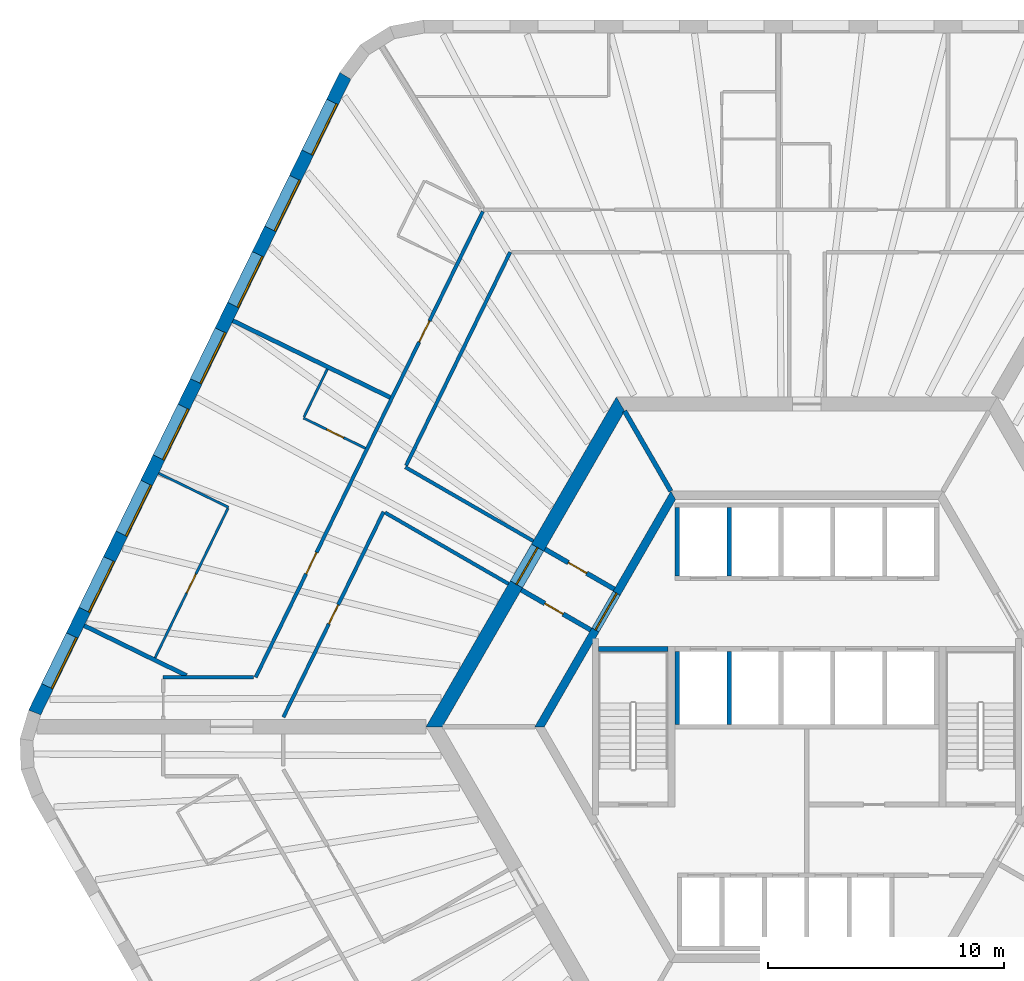
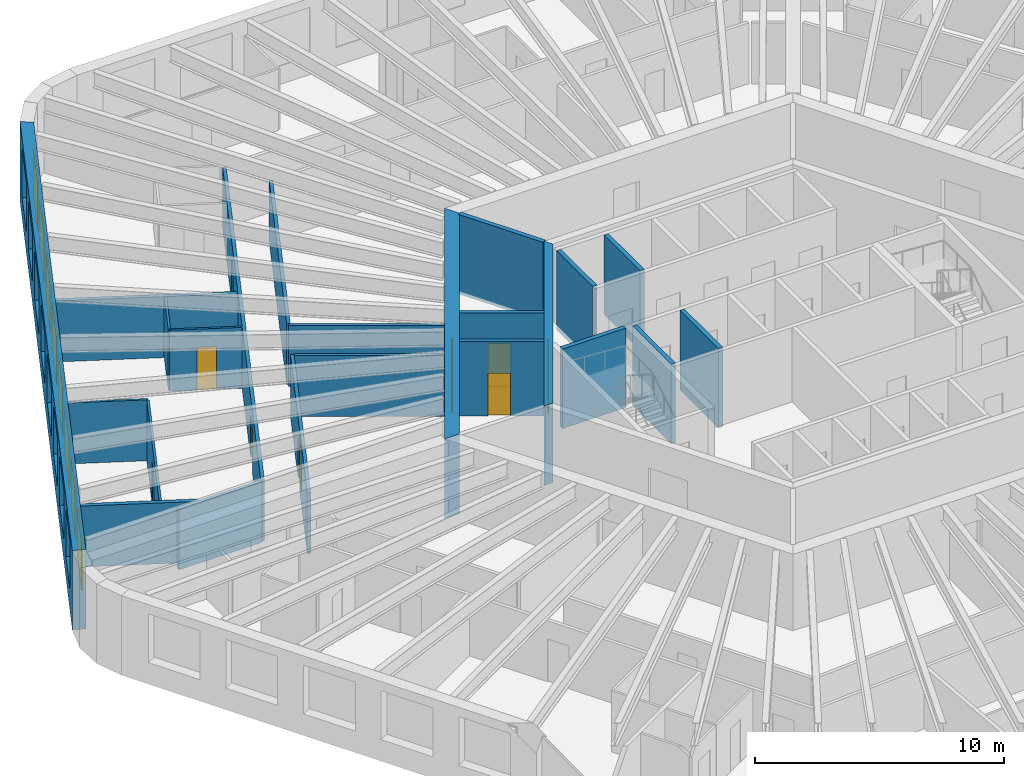
# One storey, part 7 of 12: 23 walls, 9 doors, 8 windows, 17 openings.
"""IFC4 building model written with IfcOpenShell, lengths in metres."""

import ifcopenshell
import ifcopenshell.guid

model = None  # the IFC model being written
_history = None  # IfcOwnerHistory: only IFC2X3 demands one
_inside = {}  # id of a spatial element -> (the spatial element, [elements in it])
_under = {}  # id of a project, library or spatial element -> (it, [spatial elements below it])
_declared = {}  # id of a project -> (the project, [libraries it declares])
_typed = {}  # id of a type object -> (the type object, [elements of that type])
_made_of = {}  # id of a material, layer set ... -> (it, [elements and type objects made of it])


def new_model(schema):
    """Start an empty IFC model of exactly this schema.

    Asked for "IFC4X3", IfcOpenShell would pick the latest addendum, in which some entities
    have other attributes; the version numbers below select the first issue.
    IFC2X3 requires an IfcOwnerHistory on every rooted entity: one is made here for all.
    """
    global model, _history
    if schema == "IFC4X3":
        model = ifcopenshell.file(schema_version=(4, 3, 0, 0))
    else:
        model = ifcopenshell.file(schema=schema)
    _inside.clear()
    _under.clear()
    _declared.clear()
    _typed.clear()
    _made_of.clear()
    _history = None
    if model.schema == "IFC2X3":
        org = make("IfcOrganization", Name="unknown")
        user = make(
            "IfcPersonAndOrganization",
            ThePerson=make("IfcPerson", FamilyName="unknown"),
            TheOrganization=org,
        )
        app = make(
            "IfcApplication",
            ApplicationDeveloper=org,
            Version="unknown",
            ApplicationFullName="unknown",
            ApplicationIdentifier="unknown",
        )
        _history = make(
            "IfcOwnerHistory",
            OwningUser=user,
            OwningApplication=app,
            ChangeAction="ADDED",
            CreationDate=0,
        )
    return model


def make(cls, **values):
    """One entity of the class cls with the attributes given. An attribute that is None is left unset."""
    return model.create_entity(
        cls, **{name: value for name, value in values.items() if value is not None}
    )


def rooted(cls, **values):
    """An entity with a GlobalId (a new one), such as an element, a storey or a relation."""
    return make(cls, GlobalId=ifcopenshell.guid.new(), OwnerHistory=_history, **values)


def si_unit(unit_type, name, prefix=None):
    """IfcSIUnit, for example si_unit("LENGTHUNIT", "METRE", prefix="MILLI")."""
    return make("IfcSIUnit", UnitType=unit_type, Prefix=prefix, Name=name)


def assignment(units):
    """IfcUnitAssignment: the units of a project."""
    return None if units is None else make("IfcUnitAssignment", Units=units)


def point(xyz):
    """IfcCartesianPoint."""
    return None if xyz is None else make("IfcCartesianPoint", Coordinates=xyz)


def direction(xyz):
    """IfcDirection."""
    return None if xyz is None else make("IfcDirection", DirectionRatios=xyz)


def frame(location, z_axis=None, x_axis=None):
    """IfcAxis2Placement3D, a coordinate frame: its origin and axes. An axis left out is left unset."""
    return make(
        "IfcAxis2Placement3D",
        Location=point(location),
        Axis=direction(z_axis),
        RefDirection=direction(x_axis),
    )


def frame_2d(location, x_axis=None):
    """IfcAxis2Placement2D, a coordinate frame in the plane: its origin and x axis."""
    return make(
        "IfcAxis2Placement2D", Location=point(location), RefDirection=direction(x_axis)
    )


def origin():
    """The frame at (0, 0, 0) with its axes left unset."""
    return frame((0.0, 0.0, 0.0))


def place(relative_to, where):
    """IfcLocalPlacement: puts the frame where relative to a parent placement (None: the world)."""
    return make(
        "IfcLocalPlacement", PlacementRelTo=relative_to, RelativePlacement=where
    )


def context(
    kind, dimensions, precision=None, world=None, true_north=None, identifier=None
):
    """IfcGeometricRepresentationContext, for example the 3D "Model" context."""
    return make(
        "IfcGeometricRepresentationContext",
        ContextIdentifier=identifier,
        ContextType=kind,
        CoordinateSpaceDimension=dimensions,
        Precision=precision,
        WorldCoordinateSystem=world,
        TrueNorth=true_north,
    )


def subcontext(parent, identifier, kind, view, scale=None):
    """IfcGeometricRepresentationSubContext, for example "Body" below "Model"."""
    return make(
        "IfcGeometricRepresentationSubContext",
        ContextIdentifier=identifier,
        ContextType=kind,
        ParentContext=parent,
        TargetScale=scale,
        TargetView=view,
    )


def project(units=None, contexts=None):
    """IfcProject with its units and contexts."""
    return rooted(
        "IfcProject",
        Name="project",
        RepresentationContexts=contexts,
        UnitsInContext=assignment(units),
    )


def spatial(cls, under=None, at=None, **own):
    """A site, building, storey or space (cls), placed at a placement, below another one or the project."""
    s = rooted(cls, ObjectPlacement=at, **own)
    if under is not None:
        _under.setdefault(under.id(), (under, []))[1].append(s)
    return s


def polyline(points):
    """IfcPolyline through the points."""
    return make("IfcPolyline", Points=[point(p) for p in points])


def profile(cls, at=None, kind="AREA", **sizes):
    """A parametric profile (cls). Its sizes go by their IFC names, for example OverallWidth=200.0."""
    return make(cls, ProfileType=kind, Position=at, **sizes)


def rectangle(**sizes):
    """IfcRectangleProfileDef."""
    return profile("IfcRectangleProfileDef", **sizes)


def outline(outer, holes=None, kind="AREA"):
    """IfcArbitraryClosedProfileDef: a profile drawn as a closed curve; with holes, ...WithVoids."""
    if holes is None:
        return make("IfcArbitraryClosedProfileDef", ProfileType=kind, OuterCurve=outer)
    return make(
        "IfcArbitraryProfileDefWithVoids",
        ProfileType=kind,
        OuterCurve=outer,
        InnerCurves=holes,
    )


def extrude(swept, where, along, depth):
    """IfcExtrudedAreaSolid: the profile swept, set in the frame where, extruded along a direction by depth."""
    return make(
        "IfcExtrudedAreaSolid",
        SweptArea=swept,
        Position=where,
        ExtrudedDirection=direction(along),
        Depth=depth,
    )


def shape(context_of_items, identifier, shape_type, items):
    """IfcShapeRepresentation: the items that make up one representation, for example the "Body"."""
    return make(
        "IfcShapeRepresentation",
        ContextOfItems=context_of_items,
        RepresentationIdentifier=identifier,
        RepresentationType=shape_type,
        Items=items,
    )


def material(Name=None, Category=None):
    """IfcMaterial."""
    return make("IfcMaterial", Name=Name, Category=Category)


def layer(
    of_material, thickness, ventilated=None, Name=None, Category=None, Priority=None
):
    """IfcMaterialLayer: one layer of a wall or slab, of a material (None: an air gap)."""
    return make(
        "IfcMaterialLayer",
        Material=of_material,
        LayerThickness=thickness,
        IsVentilated=ventilated,
        Name=Name,
        Category=Category,
        Priority=Priority,
    )


def layer_set(layers, Name=None):
    """IfcMaterialLayerSet."""
    return make("IfcMaterialLayerSet", MaterialLayers=layers, LayerSetName=Name)


def made_of(thing, what):
    """Note that an element or type object is made of a material, layer set ...; save() writes the relation."""
    if what is not None:
        _made_of.setdefault(what.id(), (what, []))[1].append(thing)
    return thing


def type_object(cls, material=None, **own):
    """A type object (cls), such as IfcWallType, which elements share."""
    return made_of(rooted(cls, **own), material)


def element(
    cls,
    number,
    at=None,
    inside=None,
    cuts=None,
    type_object=None,
    material=None,
    context=None,
    identifier="Body",
    shape_type=None,
    held_by="IfcProductDefinitionShape",
    body=None,
    shapes=None,
    **own,
):
    """One element of the class cls, such as IfcWall. Its Tag is "e" and its number.

    at: its placement. inside: the storey or other place that contains it. cuts: it is an
    opening in that element (IfcRelVoidsElement). A single representation is given by context,
    identifier, shape_type and body (its items); several are given by shapes. held_by: the class
    of the entity that holds the representations. save() writes the other relations.
    """
    e = rooted(cls, Tag="e%d" % number, ObjectPlacement=at, **own)
    if body is not None:
        shapes = [shape(context, identifier, shape_type, body)]
    if shapes is not None:
        e.Representation = make(held_by, Representations=shapes)
    if inside is not None:
        _inside.setdefault(inside.id(), (inside, []))[1].append(e)
    if cuts is not None:
        rooted(
            "IfcRelVoidsElement", RelatingBuildingElement=cuts, RelatedOpeningElement=e
        )
    if type_object is not None:
        _typed.setdefault(type_object.id(), (type_object, []))[1].append(e)
    return made_of(e, material)


def fill(opening, filler):
    """IfcRelFillsElement: the door or window that sits in an opening."""
    return rooted(
        "IfcRelFillsElement",
        RelatingOpeningElement=opening,
        RelatedBuildingElement=filler,
    )


def aggregate(whole, parts):
    """IfcRelAggregates: a whole, such as a stair, and the parts it consists of."""
    return rooted("IfcRelAggregates", RelatingObject=whole, RelatedObjects=parts)


def save(model, path):
    """Write the relations noted so far, then the file.

    IfcRelAggregates (storeys below a building ...), IfcRelContainedInSpatialStructure (elements
    in a storey), IfcRelDefinesByType, IfcRelAssociatesMaterial and IfcRelDeclares: one each for
    every whole, place, type object, material and project.
    """
    for whole, parts in _under.values():
        aggregate(whole, parts)
    for where, things in _inside.values():
        rooted(
            "IfcRelContainedInSpatialStructure",
            RelatedElements=things,
            RelatingStructure=where,
        )
    for kind, things in _typed.values():
        rooted("IfcRelDefinesByType", RelatedObjects=things, RelatingType=kind)
    for what, things in _made_of.values():
        rooted("IfcRelAssociatesMaterial", RelatedObjects=things, RelatingMaterial=what)
    for by, libraries in _declared.values():
        rooted("IfcRelDeclares", RelatingContext=by, RelatedDefinitions=libraries)
    model.write(path)


model = new_model("IFC4")

# Units and contexts
model_context = context("Model", 3, precision=1e-05, world=origin(), true_north=direction((0.0, 1.0)))
body_context = subcontext(model_context, "Body", "Model", "MODEL_VIEW")
ifc_project = project(units=[si_unit("LENGTHUNIT", "METRE"), si_unit("AREAUNIT", "SQUARE_METRE"), si_unit("VOLUMEUNIT", "CUBIC_METRE"), si_unit("PLANEANGLEUNIT", "RADIAN"), si_unit("MASSUNIT", "GRAM", prefix="KILO")], contexts=[model_context])

# Site, building, storey
site_placement = place(None, origin())
site = spatial("IfcSite", under=ifc_project, at=site_placement, CompositionType="ELEMENT")
building_placement = place(site_placement, origin())
building = spatial("IfcBuilding", under=site, at=building_placement, Name="Tarnside Tower", CompositionType="ELEMENT")
storey_placement = place(building_placement, frame((0.0, 0.0, 115.5)))
storey = spatial("IfcBuildingStorey", under=building, at=storey_placement, Name="L26", CompositionType="ELEMENT", Elevation=115.5)

# Wall, opening, door
ifc_material_1 = material(Name="Gypsum board partition on steel studs", Category="steel")
ifc_layer_1 = layer(ifc_material_1, 0.10009765625)
ifc_layer_set_1 = layer_set([ifc_layer_1], Name="Bathroom wall 100")
wall_type_1 = type_object("IfcWallType", Name="Bathroom wall 100", PredefinedType="PARTITIONING", material=ifc_layer_set_1)
wall_1_placement = place(storey_placement, frame((-18.739013671875, 11.822265625, 0.0), z_axis=(0.0, 0.0, 1.0), x_axis=(-0.898790906006, 0.438377585285, 0.0)))
wall_1 = element("IfcWall", 1, at=wall_1_placement, inside=storey, type_object=wall_type_1, Name="Bathroom wall 08094", PredefinedType="PARTITIONING", context=body_context, shape_type="SweptSolid", body=[
    extrude(rectangle(XDim=2.925048828125, YDim=0.10009765625, at=frame_2d((1.46240234375, 0.0))), origin(), (0.0, 0.0, 1.0), 2.98779296875),
])
opening_1_placement = place(wall_1_placement, frame((1.02490234375, 0.0, 0.0)))
opening_1 = element("IfcOpeningElement", 2, at=opening_1_placement, cuts=wall_1, Name="Opening D-B1", PredefinedType="OPENING", context=body_context, shape_type="SweptSolid", body=[
    extrude(rectangle(XDim=0.800048828125, YDim=2.10009765625, at=frame_2d((0.39990234375, 1.050048828125))), frame((0.0, 0.06005859375, 0.0), z_axis=(0.0, -1.0, 0.0), x_axis=(1.0, 0.0, 0.0)), (0.0, 0.0, 1.0), 0.1201171875),
])
ifc_material_2 = material(Name="Timber door leaf", Category="wood")
door_type_1 = type_object("IfcDoorType", Name="Bathroom door 800", OperationType="NOTDEFINED", PredefinedType="DOOR", material=ifc_material_2)
door_1_placement = place(opening_1_placement, origin())
door_1 = element("IfcDoor", 3, at=door_1_placement, inside=storey, type_object=door_type_1, Name="Bathroom door 08012", OperationType="SINGLE_SWING_RIGHT", OverallHeight=2.10009765625, OverallWidth=0.800048828125, PredefinedType="DOOR", context=body_context, shape_type="SweptSolid", body=[
    extrude(rectangle(XDim=0.800048828125, YDim=2.10009765625, at=frame_2d((0.39990234375, 1.050048828125))), frame((0.0, 0.02490234375, 0.0), z_axis=(0.0, -1.0, 0.0), x_axis=(1.0, 0.0, 0.0)), (0.0, 0.0, 1.0), 0.050048828125),
])
fill(opening_1, door_1)

# Wall
wall_2_placement = place(storey_placement, frame((-21.345947265625, 13.1494140625, 0.0), z_axis=(0.0, 0.0, 1.0), x_axis=(0.438376807268, 0.898791285477, 0.0)))
element("IfcWall", 4, at=wall_2_placement, inside=storey, type_object=wall_type_1, Name="Bathroom wall 08095", PredefinedType="PARTITIONING", context=body_context, shape_type="SweptSolid", body=[
    extrude(rectangle(XDim=2.260009765625, YDim=0.10009765625, at=frame_2d((1.1298828125, 0.0))), origin(), (0.0, 0.0, 1.0), 2.98779296875),
])

# Wall, opening, door
ifc_material_3 = material(Name="Concrete C50/60", Category="concrete")
ifc_layer_2 = layer(ifc_material_3, 0.35009765625)
ifc_layer_set_2 = layer_set([ifc_layer_2], Name="Core block wall 350 C50/60")
wall_type_2 = type_object("IfcWallType", Name="Core block wall 350 C50/60", PredefinedType="SHEAR", material=ifc_layer_set_2)
wall_3_placement = place(storey_placement, frame((-5.672607421875, 9.824951171875, -0.14990234375), z_axis=(0.0, 0.0, 1.0), x_axis=(-0.499995046907, -0.866028263435, 0.0)))
wall_3 = element("IfcWall", 5, at=wall_3_placement, inside=storey, type_object=wall_type_2, Name="L26 core block wall face 2", PredefinedType="SHEAR", context=body_context, shape_type="SweptSolid", body=[
    extrude(outline(polyline([(-0.10107421875, -0.175048828125), (11.44580078125, -0.175048828125), (11.24365234375, 0.175048828125), (0.10107421875, 0.175048828125), (-0.10107421875, -0.175048828125)])), origin(), (0.0, 0.0, 1.0), 3.89990234375),
])
opening_2_placement = place(wall_3_placement, frame((4.80126953125, 0.0, 0.14990234375)))
opening_2 = element("IfcOpeningElement", 6, at=opening_2_placement, cuts=wall_3, Name="Opening CD-LOB", PredefinedType="OPENING", context=body_context, shape_type="SweptSolid", body=[
    extrude(rectangle(XDim=1.800048828125, YDim=2.39990234375, at=frame_2d((0.89990234375, 1.199951171875))), frame((0.0, 0.18505859375, 0.0), z_axis=(0.0, -1.0, 0.0), x_axis=(1.0, 0.0, 0.0)), (0.0, 0.0, 1.0), 0.3701171875),
])
ifc_material_4 = material(Name="Steel fire door", Category="steel")
door_type_2 = type_object("IfcDoorType", Name="Lobby double door FD30S 1800x2400", OperationType="NOTDEFINED", PredefinedType="DOOR", material=ifc_material_4)
door_2_placement = place(opening_2_placement, origin())
door_2 = element("IfcDoor", 7, at=door_2_placement, inside=storey, type_object=door_type_2, Name="L26 lobby block door P1", OperationType="DOUBLE_DOOR_SINGLE_SWING", OverallHeight=2.39990234375, OverallWidth=1.800048828125, PredefinedType="DOOR", context=body_context, shape_type="SweptSolid", body=[
    extrude(rectangle(XDim=1.800048828125, YDim=2.39990234375, at=frame_2d((0.89990234375, 1.199951171875))), frame((0.0, 0.02490234375, 0.0), z_axis=(0.0, -1.0, 0.0), x_axis=(1.0, 0.0, 0.0)), (0.0, 0.0, 1.0), 0.050048828125),
])
fill(opening_2, door_2)

ifc_material_5 = material(Name="Concrete C40/50", Category="concrete")
ifc_layer_3 = layer(ifc_material_5, 0.199951171875)
ifc_layer_set_3 = layer_set([ifc_layer_3], Name="Core room partition 200 C40/50")
wall_type_3 = type_object("IfcWallType", Name="Core room partition 200 C40/50", PredefinedType="PARTITIONING", material=ifc_layer_set_3)
wall_4_placement = place(storey_placement, frame((-9.1748046875, 4.10888671875, 0.0), z_axis=(0.0, 0.0, 1.0), x_axis=(-0.865989465428, 0.500062241894, 0.0)))
wall_4 = element("IfcWall", 8, at=wall_4_placement, inside=storey, type_object=wall_type_3, Name="L26 core partition AC1L", PredefinedType="PARTITIONING", context=body_context, shape_type="SweptSolid", body=[
    extrude(rectangle(XDim=3.39990234375, YDim=0.199951171875, at=frame_2d((1.699951171875, 0.0))), origin(), (0.0, 0.0, 1.0), 3.64990234375),
])
opening_3_placement = place(wall_4_placement, frame((1.3505859375, 0.0, 0.0)))
opening_3 = element("IfcOpeningElement", 9, at=opening_3_placement, cuts=wall_4, Name="Opening CD-room", PredefinedType="OPENING", context=body_context, shape_type="SweptSolid", body=[
    extrude(rectangle(XDim=0.89990234375, YDim=2.10009765625, at=frame_2d((0.449951171875, 1.050048828125))), frame((0.0, 0.10986328125, 0.0), z_axis=(0.0, -1.0, 0.0), x_axis=(1.0, 0.0, 0.0)), (0.0, 0.0, 1.0), 0.219970703125),
])
door_type_3 = type_object("IfcDoorType", Name="Room door FD60 900x2100", OperationType="NOTDEFINED", PredefinedType="DOOR", material=ifc_material_4)
door_3_placement = place(opening_3_placement, origin())
door_3 = element("IfcDoor", 10, at=door_3_placement, inside=storey, type_object=door_type_3, Name="L26 core room door AX1L", OperationType="SINGLE_SWING_LEFT", OverallHeight=2.10009765625, OverallWidth=0.89990234375, PredefinedType="DOOR", context=body_context, shape_type="SweptSolid", body=[
    extrude(rectangle(XDim=0.89990234375, YDim=2.10009765625, at=frame_2d((0.449951171875, 1.050048828125))), frame((0.0, 0.02490234375, 0.0), z_axis=(0.0, -1.0, 0.0), x_axis=(1.0, 0.0, 0.0)), (0.0, 0.0, 1.0), 0.050048828125),
])
fill(opening_3, door_3)

wall_5_placement = place(storey_placement, frame((-8.1748046875, 5.841064453125, 0.0), z_axis=(0.0, 0.0, 1.0), x_axis=(-0.866020560687, 0.500008388397, 0.0)))
wall_5 = element("IfcWall", 11, at=wall_5_placement, inside=storey, type_object=wall_type_3, Name="L26 core partition AC1R", PredefinedType="PARTITIONING", context=body_context, shape_type="SweptSolid", body=[
    extrude(rectangle(XDim=3.39990234375, YDim=0.199951171875, at=frame_2d((1.699951171875, 0.0))), origin(), (0.0, 0.0, 1.0), 3.64990234375),
])
opening_4_placement = place(wall_5_placement, frame((1.349609375, 0.0, 0.0)))
opening_4 = element("IfcOpeningElement", 12, at=opening_4_placement, cuts=wall_5, Name="Opening CD-room", PredefinedType="OPENING", context=body_context, shape_type="SweptSolid", body=[
    extrude(rectangle(XDim=0.89990234375, YDim=2.10009765625, at=frame_2d((0.449951171875, 1.050048828125))), frame((0.0, 0.10986328125, 0.0), z_axis=(0.0, -1.0, 0.0), x_axis=(1.0, 0.0, 0.0)), (0.0, 0.0, 1.0), 0.219970703125),
])
door_4_placement = place(opening_4_placement, origin())
door_4 = element("IfcDoor", 13, at=door_4_placement, inside=storey, type_object=door_type_3, Name="L26 core room door AX1R", OperationType="SINGLE_SWING_LEFT", OverallHeight=2.10009765625, OverallWidth=0.89990234375, PredefinedType="DOOR", context=body_context, shape_type="SweptSolid", body=[
    extrude(rectangle(XDim=0.89990234375, YDim=2.10009765625, at=frame_2d((0.449951171875, 1.050048828125))), frame((0.0, 0.02490234375, 0.0), z_axis=(0.0, -1.0, 0.0), x_axis=(1.0, 0.0, 0.0)), (0.0, 0.0, 1.0), 0.050048828125),
])
fill(opening_4, door_4)

ifc_material_6 = material(Name="Concrete C80/95", Category="concrete")
ifc_layer_4 = layer(ifc_material_6, 0.60009765625)
ifc_layer_set_4 = layer_set([ifc_layer_4], Name="Core wall Z1 600 C80/95")
wall_type_4 = type_object("IfcWallType", Name="Core wall Z1 600 C80/95", PredefinedType="SHEAR", material=ifc_layer_set_4)
wall_6_placement = place(storey_placement, frame((-7.90966796875, 13.699951171875, -0.14990234375), z_axis=(0.0, 0.0, 1.0), x_axis=(-0.499999880136, -0.866025472988, 0.0)))
wall_6 = element("IfcWall", 14, at=wall_6_placement, inside=storey, type_object=wall_type_4, Name="L26 core wall face 2", PredefinedType="SHEAR", context=body_context, shape_type="SweptSolid", body=[
    extrude(outline(polyline([(-0.17333984375, -0.300048828125), (15.99267578125, -0.300048828125), (15.64599609375, 0.300048828125), (0.17333984375, 0.300048828125), (-0.17333984375, -0.300048828125)])), origin(), (0.0, 0.0, 1.0), 3.89990234375),
])
opening_5_placement = place(wall_6_placement, frame((7.03857421875, 0.0, 0.14990234375)))
opening_5 = element("IfcOpeningElement", 15, at=opening_5_placement, cuts=wall_6, Name="Opening CD-LOB", PredefinedType="OPENING", context=body_context, shape_type="SweptSolid", body=[
    extrude(rectangle(XDim=1.800048828125, YDim=2.39990234375, at=frame_2d((0.89990234375, 1.199951171875))), frame((0.0, 0.31005859375, 0.0), z_axis=(0.0, -1.0, 0.0), x_axis=(1.0, 0.0, 0.0)), (0.0, 0.0, 1.0), 0.6201171875),
])
door_5_placement = place(opening_5_placement, origin())
door_5 = element("IfcDoor", 16, at=door_5_placement, inside=storey, type_object=door_type_2, Name="L26 core door P1", OperationType="DOUBLE_DOOR_SINGLE_SWING", OverallHeight=2.39990234375, OverallWidth=1.800048828125, PredefinedType="DOOR", context=body_context, shape_type="SweptSolid", body=[
    extrude(rectangle(XDim=1.800048828125, YDim=2.39990234375, at=frame_2d((0.89990234375, 1.199951171875))), frame((0.0, 0.02490234375, 0.0), z_axis=(0.0, -1.0, 0.0), x_axis=(1.0, 0.0, 0.0)), (0.0, 0.0, 1.0), 0.050048828125),
])
fill(opening_5, door_5)

# Wall, openings, doors
ifc_layer_5 = layer(ifc_material_1, 0.14990234375)
ifc_layer_set_5 = layer_set([ifc_layer_5], Name="Corridor wall 150 EI 60")
wall_type_5 = type_object("IfcWallType", Name="Corridor wall 150 EI 60", PredefinedType="PARTITIONING", material=ifc_layer_set_5)
wall_7_placement = place(storey_placement, frame((-13.75244140625, 21.875, 0.0), z_axis=(0.0, 0.0, 1.0), x_axis=(-0.438376846054, -0.898791266559, 0.0)))
wall_7 = element("IfcWall", 17, at=wall_7_placement, inside=storey, type_object=wall_type_5, Name="Corridor wall 08009", PredefinedType="PARTITIONING", context=body_context, shape_type="SweptSolid", body=[
    extrude(rectangle(XDim=22.001708984375, YDim=0.14990234375, at=frame_2d((11.0009765625, 0.0))), origin(), (0.0, 0.0, 1.0), 2.98779296875),
])
opening_6_placement = place(wall_7_placement, frame((5.1689453125, 0.0, 0.0)))
opening_6 = element("IfcOpeningElement", 18, at=opening_6_placement, cuts=wall_7, Name="Opening D-E1", PredefinedType="OPENING", context=body_context, shape_type="SweptSolid", body=[
    extrude(rectangle(XDim=1.0, YDim=2.10009765625, at=frame_2d((0.5, 1.050048828125))), frame((0.0, 0.0849609375, 0.0), z_axis=(0.0, -1.0, 0.0), x_axis=(1.0, 0.0, 0.0)), (0.0, 0.0, 1.0), 0.169921875),
])
opening_7_placement = place(wall_7_placement, frame((16.111572265625, 0.0, 0.0)))
opening_7 = element("IfcOpeningElement", 19, at=opening_7_placement, cuts=wall_7, Name="Opening D-E1", PredefinedType="OPENING", context=body_context, shape_type="SweptSolid", body=[
    extrude(rectangle(XDim=1.0, YDim=2.10009765625, at=frame_2d((0.5, 1.050048828125))), frame((0.0, 0.0849609375, 0.0), z_axis=(0.0, -1.0, 0.0), x_axis=(1.0, 0.0, 0.0)), (0.0, 0.0, 1.0), 0.169921875),
])
door_type_4 = type_object("IfcDoorType", Name="Unit entrance door 1000 FD30S", OperationType="NOTDEFINED", PredefinedType="DOOR", material=ifc_material_2)
door_6_placement = place(opening_6_placement, origin())
door_6 = element("IfcDoor", 20, at=door_6_placement, inside=storey, type_object=door_type_4, Name="Unit door 08009", OperationType="SINGLE_SWING_LEFT", OverallHeight=2.10009765625, OverallWidth=1.0, PredefinedType="DOOR", context=body_context, shape_type="SweptSolid", body=[
    extrude(rectangle(XDim=1.0, YDim=2.10009765625, at=frame_2d((0.5, 1.050048828125))), frame((0.0, 0.02490234375, 0.0), z_axis=(0.0, -1.0, 0.0), x_axis=(1.0, 0.0, 0.0)), (0.0, 0.0, 1.0), 0.050048828125),
])
fill(opening_6, door_6)
door_7_placement = place(opening_7_placement, origin())
door_7 = element("IfcDoor", 21, at=door_7_placement, inside=storey, type_object=door_type_4, Name="Unit door 08011", OperationType="SINGLE_SWING_LEFT", OverallHeight=2.10009765625, OverallWidth=1.0, PredefinedType="DOOR", context=body_context, shape_type="SweptSolid", body=[
    extrude(rectangle(XDim=1.0, YDim=2.10009765625, at=frame_2d((0.5, 1.050048828125))), frame((0.0, 0.02490234375, 0.0), z_axis=(0.0, -1.0, 0.0), x_axis=(1.0, 0.0, 0.0)), (0.0, 0.0, 1.0), 0.050048828125),
])
fill(opening_7, door_7)

# Walls
wall_8_placement = place(storey_placement, frame((-23.480712890625, 2.10009765625, 0.0), z_axis=(0.0, 0.0, 1.0), x_axis=(-1.0, 0.0, 0.0)))
element("IfcWall", 22, at=wall_8_placement, inside=storey, type_object=wall_type_5, Name="Corridor wall 08012", PredefinedType="PARTITIONING", context=body_context, shape_type="SweptSolid", body=[
    extrude(rectangle(XDim=3.839599609375, YDim=0.14990234375, at=frame_2d((1.919921875, 0.0))), origin(), (0.0, 0.0, 1.0), 2.98779296875),
])
wall_9_placement = place(storey_placement, frame((-11.61376953125, 7.88427734375, 0.0), z_axis=(0.0, 0.0, 1.0), x_axis=(-0.866025438137, 0.4999999405, 0.0)))
element("IfcWall", 23, at=wall_9_placement, inside=storey, type_object=wall_type_5, Name="Corridor wall 08016", PredefinedType="PARTITIONING", context=body_context, shape_type="SweptSolid", body=[
    extrude(rectangle(XDim=6.2705078125, YDim=0.14990234375, at=frame_2d((3.13525390625, 0.0))), origin(), (0.0, 0.0, 1.0), 2.98779296875),
])
wall_10_placement = place(storey_placement, frame((-17.01123046875, 11.087158203125, 0.0), z_axis=(0.0, 0.0, 1.0), x_axis=(0.43836877185, 0.898795204631, 0.0)))
element("IfcWall", 24, at=wall_10_placement, inside=storey, type_object=wall_type_5, Name="Corridor wall 08017", PredefinedType="PARTITIONING", context=body_context, shape_type="SweptSolid", body=[
    extrude(rectangle(XDim=10.083251953125, YDim=0.14990234375, at=frame_2d((5.04150390625, 0.0))), origin(), (0.0, 0.0, 1.0), 2.98779296875),
])

# Wall, opening, door
wall_11_placement = place(storey_placement, frame((-22.218994140625, 0.41015625, 0.0), z_axis=(0.0, 0.0, 1.0), x_axis=(0.438391891827, 0.898783927972, 0.0)))
wall_11 = element("IfcWall", 25, at=wall_11_placement, inside=storey, type_object=wall_type_5, Name="Corridor wall 08023", PredefinedType="PARTITIONING", context=body_context, shape_type="SweptSolid", body=[
    extrude(rectangle(XDim=9.698974609375, YDim=0.14990234375, at=frame_2d((4.849609375, 0.0))), origin(), (0.0, 0.0, 1.0), 2.98779296875),
])
opening_8_placement = place(wall_11_placement, frame((4.399658203125, 0.0, 0.0)))
opening_8 = element("IfcOpeningElement", 26, at=opening_8_placement, cuts=wall_11, Name="Opening D-S1", PredefinedType="OPENING", context=body_context, shape_type="SweptSolid", body=[
    extrude(rectangle(XDim=0.89990234375, YDim=2.10009765625, at=frame_2d((0.449951171875, 1.050048828125))), frame((0.0, 0.0849609375, 0.0), z_axis=(0.0, -1.0, 0.0), x_axis=(1.0, 0.0, 0.0)), (0.0, 0.0, 1.0), 0.169921875),
])
door_type_5 = type_object("IfcDoorType", Name="Service room door 900 FD30S", OperationType="NOTDEFINED", PredefinedType="DOOR", material=ifc_material_2)
door_8_placement = place(opening_8_placement, origin())
door_8 = element("IfcDoor", 27, at=door_8_placement, inside=storey, type_object=door_type_5, Name="Service door 08042", OperationType="SINGLE_SWING_LEFT", OverallHeight=2.10009765625, OverallWidth=0.89990234375, PredefinedType="DOOR", context=body_context, shape_type="SweptSolid", body=[
    extrude(rectangle(XDim=0.89990234375, YDim=2.10009765625, at=frame_2d((0.449951171875, 1.050048828125))), frame((0.0, 0.02490234375, 0.0), z_axis=(0.0, -1.0, 0.0), x_axis=(1.0, 0.0, 0.0)), (0.0, 0.0, 1.0), 0.050048828125),
])
fill(opening_8, door_8)

# Walls
wall_12_placement = place(storey_placement, frame((-17.902099609375, 9.08984375, 0.0), z_axis=(0.0, 0.0, 1.0), x_axis=(0.866036368755, -0.499981007633, 0.0)))
element("IfcWall", 28, at=wall_12_placement, inside=storey, type_object=wall_type_5, Name="Corridor wall 08024", PredefinedType="PARTITIONING", context=body_context, shape_type="SweptSolid", body=[
    extrude(rectangle(XDim=6.048583984375, YDim=0.14990234375, at=frame_2d((3.0244140625, 0.0))), origin(), (0.0, 0.0, 1.0), 2.98779296875),
])
ifc_layer_6 = layer(ifc_material_1, 0.179931640625)
ifc_layer_set_6 = layer_set([ifc_layer_6], Name="Demising wall 180 EI 60")
wall_type_6 = type_object("IfcWallType", Name="Demising wall 180 EI 60", PredefinedType="PARTITIONING", material=ifc_layer_set_6)
wall_13_placement = place(storey_placement, frame((-24.3603515625, 17.234130859375, 0.0), z_axis=(0.0, 0.0, 1.0), x_axis=(0.898796252669, -0.438366623032, 0.0)))
element("IfcWall", 29, at=wall_13_placement, inside=storey, type_object=wall_type_6, Name="Demising wall 08092", PredefinedType="PARTITIONING", context=body_context, shape_type="SweptSolid", body=[
    extrude(rectangle(XDim=7.425048828125, YDim=0.179931640625, at=frame_2d((3.71240234375, 0.0))), origin(), (0.0, 0.0, 1.0), 2.98779296875),
])
wall_14_placement = place(storey_placement, frame((-30.673095703125, 4.29150390625, 0.0), z_axis=(0.0, 0.0, 1.0), x_axis=(0.898812662672, -0.438332975512, 0.0)))
element("IfcWall", 30, at=wall_14_placement, inside=storey, type_object=wall_type_6, Name="Demising wall 08098", PredefinedType="PARTITIONING", context=body_context, shape_type="SweptSolid", body=[
    extrude(rectangle(XDim=4.828369140625, YDim=0.179931640625, at=frame_2d((2.4140625, 0.0))), origin(), (0.0, 0.0, 1.0), 2.98779296875),
])
ifc_layer_7 = layer(ifc_material_5, 0.199951171875)
ifc_layer_set_7 = layer_set([ifc_layer_7], Name="Lift shaft wall 200 C40/50")
wall_type_7 = type_object("IfcWallType", Name="Lift shaft wall 200 C40/50", PredefinedType="SHEAR", material=ifc_layer_set_7)
for number, where, z_axis, x_axis, name in (
    (31, (-5.5, 6.39990234375, -0.25), (0.0, 0.0, 1.0), (0.0, 1.0, 0.0), "L26 lift shaft partition R11"),
    (32, (-3.300048828125, 6.39990234375, -0.25), (0.0, 0.0, 1.0), (0.0, 1.0, 0.0), "L26 lift shaft partition R12"),
):
    element("IfcWall", number, at=place(storey_placement, frame(where, z_axis=z_axis, x_axis=x_axis)), inside=storey, type_object=wall_type_7, Name=name, PredefinedType="SHEAR", context=body_context, shape_type="SweptSolid", body=[
        extrude(rectangle(XDim=2.900146484375, YDim=0.199951171875, at=frame_2d((1.4501953125, 0.0))), origin(), (0.0, 0.0, 1.0), 3.89990234375),
    ])
for number, where, z_axis, x_axis, name in (
    (33, (-5.5, 0.10009765625, -0.25), (0.0, 0.0, 1.0), (0.0, 1.0, 0.0), "L26 lift shaft partition R21"),
    (34, (-3.300048828125, 0.10009765625, -0.25), (0.0, 0.0, 1.0), (0.0, 1.0, 0.0), "L26 lift shaft partition R22"),
):
    element("IfcWall", number, at=place(storey_placement, frame(where, z_axis=z_axis, x_axis=x_axis)), inside=storey, type_object=wall_type_7, Name=name, PredefinedType="SHEAR", context=body_context, shape_type="SweptSolid", body=[
        extrude(rectangle(XDim=3.099853515625, YDim=0.199951171875, at=frame_2d((1.5498046875, 0.0))), origin(), (0.0, 0.0, 1.0), 3.89990234375),
    ])
wall_15_placement = place(storey_placement, frame((-5.7734375, 10.0, -0.14990234375), z_axis=(0.0, 0.0, 1.0), x_axis=(-0.500038251005, 0.86600331843, 0.0)))
element("IfcWall", 35, at=wall_15_placement, inside=storey, type_object=wall_type_7, Name="L26 core partition AR120", PredefinedType="SHEAR", context=body_context, shape_type="SweptSolid", body=[
    extrude(rectangle(XDim=3.926025390625, YDim=0.199951171875, at=frame_2d((1.962890625, 0.0))), origin(), (0.0, 0.0, 1.0), 3.89990234375),
])
wall_16_placement = place(storey_placement, frame((-8.85009765625, 3.300048828125, -0.25), z_axis=(0.0, 0.0, 1.0), x_axis=(1.0, 0.0, 0.0)))
element("IfcWall", 36, at=wall_16_placement, inside=storey, type_object=wall_type_7, Name="L26 stair 2 enclosure cap wall n", PredefinedType="SHEAR", context=body_context, shape_type="SweptSolid", body=[
    extrude(rectangle(XDim=2.9501953125, YDim=0.199951171875, at=frame_2d((1.47509765625, 0.0))), origin(), (0.0, 0.0, 1.0), 3.89990234375),
])
ifc_layer_8 = layer(ifc_material_1, 0.10009765625)
ifc_layer_set_8 = layer_set([ifc_layer_8], Name="Partition 100")
wall_type_8 = type_object("IfcWallType", Name="Partition 100", PredefinedType="PARTITIONING", material=ifc_layer_set_8)
wall_17_placement = place(storey_placement, frame((-27.5166015625, 10.762939453125, 0.0), z_axis=(0.0, 0.0, 1.0), x_axis=(0.898764179314, -0.43843237789, 0.0)))
element("IfcWall", 37, at=wall_17_placement, inside=storey, type_object=wall_type_8, Name="Partition wall 08096", PredefinedType="PARTITIONING", context=body_context, shape_type="SweptSolid", body=[
    extrude(rectangle(XDim=3.2998046875, YDim=0.10009765625, at=frame_2d((1.64990234375, 0.0))), origin(), (0.0, 0.0, 1.0), 2.98779296875),
])

# Wall, opening, door
wall_18_placement = place(storey_placement, frame((-24.572509765625, 9.271240234375, 0.0), z_axis=(0.0, 0.0, 1.0), x_axis=(-0.438380708798, -0.898789382533, 0.0)))
wall_18 = element("IfcWall", 38, at=wall_18_placement, inside=storey, type_object=wall_type_8, Name="Partition wall 08097", PredefinedType="PARTITIONING", context=body_context, shape_type="SweptSolid", body=[
    extrude(rectangle(XDim=7.06005859375, YDim=0.10009765625, at=frame_2d((3.530029296875, 0.0))), origin(), (0.0, 0.0, 1.0), 2.98779296875),
])
opening_9_placement = place(wall_18_placement, frame((3.10009765625, 0.0, 0.0)))
opening_9 = element("IfcOpeningElement", 39, at=opening_9_placement, cuts=wall_18, Name="Opening D-I1", PredefinedType="OPENING", context=body_context, shape_type="SweptSolid", body=[
    extrude(rectangle(XDim=0.89990234375, YDim=2.10009765625, at=frame_2d((0.449951171875, 1.050048828125))), frame((0.0, 0.06005859375, 0.0), z_axis=(0.0, -1.0, 0.0), x_axis=(1.0, 0.0, 0.0)), (0.0, 0.0, 1.0), 0.1201171875),
])
door_type_6 = type_object("IfcDoorType", Name="Internal door 900", OperationType="NOTDEFINED", PredefinedType="DOOR", material=ifc_material_2)
door_9_placement = place(opening_9_placement, origin())
door_9 = element("IfcDoor", 40, at=door_9_placement, inside=storey, type_object=door_type_6, Name="Internal door 08013", OperationType="SINGLE_SWING_RIGHT", OverallHeight=2.10009765625, OverallWidth=0.89990234375, PredefinedType="DOOR", context=body_context, shape_type="SweptSolid", body=[
    extrude(rectangle(XDim=0.89990234375, YDim=2.10009765625, at=frame_2d((0.449951171875, 1.050048828125))), frame((0.0, 0.02490234375, 0.0), z_axis=(0.0, -1.0, 0.0), x_axis=(1.0, 0.0, 0.0)), (0.0, 0.0, 1.0), 0.050048828125),
])
fill(opening_9, door_9)

# Wall, openings, windows
ifc_material_7 = material(Name="Facing brick", Category="masonry")
ifc_layer_9 = layer(ifc_material_7, 0.10205078125)
ifc_material_8 = material(Name="Concrete C60/75 precast", Category="concrete")
ifc_layer_10 = layer(ifc_material_8, 0.347900390625)
ifc_material_9 = material(Name="Mineral wool insulation")
ifc_layer_11 = layer(ifc_material_9, 0.10009765625)
ifc_layer_set_9 = layer_set([ifc_layer_9, ifc_layer_10, ifc_layer_11], Name="Tube wall 550 brick faced")
wall_type_9 = type_object("IfcWallType", Name="Tube wall 550 brick faced", PredefinedType="SOLIDWALL", material=ifc_layer_set_9)
wall_19_placement = place(storey_placement, frame((-19.5947265625, 27.6328125, -0.14990234375), z_axis=(0.0, 0.0, 1.0), x_axis=(-0.438368285794, -0.898795441694, 0.0)))
wall_19 = element("IfcWall", 41, at=wall_19_placement, inside=storey, type_object=wall_type_9, Name="Tube wall L26 F2 flush 04", PredefinedType="SOLIDWALL", context=body_context, shape_type="SweptSolid", body=[
    extrude(outline(polyline([(-0.025634765625, -0.27490234375), (30.09326171875, -0.27490234375), (30.04833984375, 0.27490234375), (0.025634765625, 0.27490234375), (-0.025634765625, -0.27490234375)])), origin(), (0.0, 0.0, 1.0), 3.89990234375),
])
opening_10_placement = place(wall_19_placement, frame((1.235595703125, 0.0, 1.050048828125)))
opening_10 = element("IfcOpeningElement", 42, at=opening_10_placement, cuts=wall_19, Name="Opening WH", PredefinedType="OPENING", context=body_context, shape_type="SweptSolid", body=[
    extrude(rectangle(XDim=2.39990234375, YDim=2.39990234375, at=frame_2d((1.199951171875, 1.199951171875))), frame((0.0, 0.28515625, 0.0), z_axis=(0.0, -1.0, 0.0), x_axis=(1.0, 0.0, 0.0)), (0.0, 0.0, 1.0), 0.570068359375),
])
opening_11_placement = place(wall_19_placement, frame((4.83544921875, 0.0, 1.050048828125)))
opening_11 = element("IfcOpeningElement", 43, at=opening_11_placement, cuts=wall_19, Name="Opening WH", PredefinedType="OPENING", context=body_context, shape_type="SweptSolid", body=[
    extrude(rectangle(XDim=2.39990234375, YDim=2.39990234375, at=frame_2d((1.199951171875, 1.199951171875))), frame((0.0, 0.28515625, 0.0), z_axis=(0.0, -1.0, 0.0), x_axis=(1.0, 0.0, 0.0)), (0.0, 0.0, 1.0), 0.570068359375),
])
opening_12_placement = place(wall_19_placement, frame((8.435546875, 0.0, 1.050048828125)))
opening_12 = element("IfcOpeningElement", 44, at=opening_12_placement, cuts=wall_19, Name="Opening WH", PredefinedType="OPENING", context=body_context, shape_type="SweptSolid", body=[
    extrude(rectangle(XDim=2.39990234375, YDim=2.39990234375, at=frame_2d((1.199951171875, 1.199951171875))), frame((0.0, 0.28515625, 0.0), z_axis=(0.0, -1.0, 0.0), x_axis=(1.0, 0.0, 0.0)), (0.0, 0.0, 1.0), 0.570068359375),
])
opening_13_placement = place(wall_19_placement, frame((12.035400390625, 0.0, 1.050048828125)))
opening_13 = element("IfcOpeningElement", 45, at=opening_13_placement, cuts=wall_19, Name="Opening WH", PredefinedType="OPENING", context=body_context, shape_type="SweptSolid", body=[
    extrude(rectangle(XDim=2.39990234375, YDim=2.39990234375, at=frame_2d((1.199951171875, 1.199951171875))), frame((0.0, 0.28515625, 0.0), z_axis=(0.0, -1.0, 0.0), x_axis=(1.0, 0.0, 0.0)), (0.0, 0.0, 1.0), 0.570068359375),
])
opening_14_placement = place(wall_19_placement, frame((15.635498046875, 0.0, 1.050048828125)))
opening_14 = element("IfcOpeningElement", 46, at=opening_14_placement, cuts=wall_19, Name="Opening WH", PredefinedType="OPENING", context=body_context, shape_type="SweptSolid", body=[
    extrude(rectangle(XDim=2.39990234375, YDim=2.39990234375, at=frame_2d((1.199951171875, 1.199951171875))), frame((0.0, 0.28515625, 0.0), z_axis=(0.0, -1.0, 0.0), x_axis=(1.0, 0.0, 0.0)), (0.0, 0.0, 1.0), 0.570068359375),
])
opening_15_placement = place(wall_19_placement, frame((19.235595703125, 0.0, 1.050048828125)))
opening_15 = element("IfcOpeningElement", 47, at=opening_15_placement, cuts=wall_19, Name="Opening WH", PredefinedType="OPENING", context=body_context, shape_type="SweptSolid", body=[
    extrude(rectangle(XDim=2.39990234375, YDim=2.39990234375, at=frame_2d((1.199951171875, 1.199951171875))), frame((0.0, 0.28515625, 0.0), z_axis=(0.0, -1.0, 0.0), x_axis=(1.0, 0.0, 0.0)), (0.0, 0.0, 1.0), 0.570068359375),
])
opening_16_placement = place(wall_19_placement, frame((22.83544921875, 0.0, 1.050048828125)))
opening_16 = element("IfcOpeningElement", 48, at=opening_16_placement, cuts=wall_19, Name="Opening WH", PredefinedType="OPENING", context=body_context, shape_type="SweptSolid", body=[
    extrude(rectangle(XDim=2.39990234375, YDim=2.39990234375, at=frame_2d((1.199951171875, 1.199951171875))), frame((0.0, 0.28515625, 0.0), z_axis=(0.0, -1.0, 0.0), x_axis=(1.0, 0.0, 0.0)), (0.0, 0.0, 1.0), 0.570068359375),
])
opening_17_placement = place(wall_19_placement, frame((26.435546875, 0.0, 1.050048828125)))
opening_17 = element("IfcOpeningElement", 49, at=opening_17_placement, cuts=wall_19, Name="Opening WH", PredefinedType="OPENING", context=body_context, shape_type="SweptSolid", body=[
    extrude(rectangle(XDim=2.39990234375, YDim=2.39990234375, at=frame_2d((1.199951171875, 1.199951171875))), frame((0.0, 0.28515625, 0.0), z_axis=(0.0, -1.0, 0.0), x_axis=(1.0, 0.0, 0.0)), (0.0, 0.0, 1.0), 0.570068359375),
])
ifc_material_10 = material(Name="Aluminium-framed double glazing", Category="aluminium")
window_type = type_object("IfcWindowType", Name="Hotel window 2400 x 2400", PartitioningType="DOUBLE_PANEL_VERTICAL", PredefinedType="WINDOW", material=ifc_material_10)
window_1_placement = place(opening_10_placement, frame((0.0, 0.205078125, 0.0)))
window_1 = element("IfcWindow", 50, at=window_1_placement, inside=storey, type_object=window_type, Name="E.WN.L26.F2.00", OverallHeight=2.39990234375, OverallWidth=2.39990234375, PartitioningType="DOUBLE_PANEL_VERTICAL", PredefinedType="WINDOW", context=body_context, shape_type="SweptSolid", body=[
    extrude(rectangle(XDim=2.39990234375, YDim=2.39990234375, at=frame_2d((1.199951171875, 1.199951171875))), frame((0.0, 0.030029296875, 0.0), z_axis=(0.0, -1.0, 0.0), x_axis=(1.0, 0.0, 0.0)), (0.0, 0.0, 1.0), 0.06005859375),
])
fill(opening_10, window_1)
window_2_placement = place(opening_11_placement, frame((0.0, 0.205078125, 0.0)))
window_2 = element("IfcWindow", 51, at=window_2_placement, inside=storey, type_object=window_type, Name="E.WN.L26.F2.01", OverallHeight=2.39990234375, OverallWidth=2.39990234375, PartitioningType="DOUBLE_PANEL_VERTICAL", PredefinedType="WINDOW", context=body_context, shape_type="SweptSolid", body=[
    extrude(rectangle(XDim=2.39990234375, YDim=2.39990234375, at=frame_2d((1.199951171875, 1.199951171875))), frame((0.0, 0.030029296875, 0.0), z_axis=(0.0, -1.0, 0.0), x_axis=(1.0, 0.0, 0.0)), (0.0, 0.0, 1.0), 0.06005859375),
])
fill(opening_11, window_2)
window_3_placement = place(opening_12_placement, frame((0.0, 0.205078125, 0.0)))
window_3 = element("IfcWindow", 52, at=window_3_placement, inside=storey, type_object=window_type, Name="E.WN.L26.F2.02", OverallHeight=2.39990234375, OverallWidth=2.39990234375, PartitioningType="DOUBLE_PANEL_VERTICAL", PredefinedType="WINDOW", context=body_context, shape_type="SweptSolid", body=[
    extrude(rectangle(XDim=2.39990234375, YDim=2.39990234375, at=frame_2d((1.199951171875, 1.199951171875))), frame((0.0, 0.030029296875, 0.0), z_axis=(0.0, -1.0, 0.0), x_axis=(1.0, 0.0, 0.0)), (0.0, 0.0, 1.0), 0.06005859375),
])
fill(opening_12, window_3)
window_4_placement = place(opening_13_placement, frame((0.0, 0.205078125, 0.0)))
window_4 = element("IfcWindow", 53, at=window_4_placement, inside=storey, type_object=window_type, Name="E.WN.L26.F2.03", OverallHeight=2.39990234375, OverallWidth=2.39990234375, PartitioningType="DOUBLE_PANEL_VERTICAL", PredefinedType="WINDOW", context=body_context, shape_type="SweptSolid", body=[
    extrude(rectangle(XDim=2.39990234375, YDim=2.39990234375, at=frame_2d((1.199951171875, 1.199951171875))), frame((0.0, 0.030029296875, 0.0), z_axis=(0.0, -1.0, 0.0), x_axis=(1.0, 0.0, 0.0)), (0.0, 0.0, 1.0), 0.06005859375),
])
fill(opening_13, window_4)
window_5_placement = place(opening_14_placement, frame((0.0, 0.205078125, 0.0)))
window_5 = element("IfcWindow", 54, at=window_5_placement, inside=storey, type_object=window_type, Name="E.WN.L26.F2.04", OverallHeight=2.39990234375, OverallWidth=2.39990234375, PartitioningType="DOUBLE_PANEL_VERTICAL", PredefinedType="WINDOW", context=body_context, shape_type="SweptSolid", body=[
    extrude(rectangle(XDim=2.39990234375, YDim=2.39990234375, at=frame_2d((1.199951171875, 1.199951171875))), frame((0.0, 0.030029296875, 0.0), z_axis=(0.0, -1.0, 0.0), x_axis=(1.0, 0.0, 0.0)), (0.0, 0.0, 1.0), 0.06005859375),
])
fill(opening_14, window_5)
window_6_placement = place(opening_15_placement, frame((0.0, 0.205078125, 0.0)))
window_6 = element("IfcWindow", 55, at=window_6_placement, inside=storey, type_object=window_type, Name="E.WN.L26.F2.05", OverallHeight=2.39990234375, OverallWidth=2.39990234375, PartitioningType="DOUBLE_PANEL_VERTICAL", PredefinedType="WINDOW", context=body_context, shape_type="SweptSolid", body=[
    extrude(rectangle(XDim=2.39990234375, YDim=2.39990234375, at=frame_2d((1.199951171875, 1.199951171875))), frame((0.0, 0.030029296875, 0.0), z_axis=(0.0, -1.0, 0.0), x_axis=(1.0, 0.0, 0.0)), (0.0, 0.0, 1.0), 0.06005859375),
])
fill(opening_15, window_6)
window_7_placement = place(opening_16_placement, frame((0.0, 0.205078125, 0.0)))
window_7 = element("IfcWindow", 56, at=window_7_placement, inside=storey, type_object=window_type, Name="E.WN.L26.F2.06", OverallHeight=2.39990234375, OverallWidth=2.39990234375, PartitioningType="DOUBLE_PANEL_VERTICAL", PredefinedType="WINDOW", context=body_context, shape_type="SweptSolid", body=[
    extrude(rectangle(XDim=2.39990234375, YDim=2.39990234375, at=frame_2d((1.199951171875, 1.199951171875))), frame((0.0, 0.030029296875, 0.0), z_axis=(0.0, -1.0, 0.0), x_axis=(1.0, 0.0, 0.0)), (0.0, 0.0, 1.0), 0.06005859375),
])
fill(opening_16, window_7)
window_8_placement = place(opening_17_placement, frame((0.0, 0.205078125, 0.0)))
window_8 = element("IfcWindow", 57, at=window_8_placement, inside=storey, type_object=window_type, Name="E.WN.L26.F2.07", OverallHeight=2.39990234375, OverallWidth=2.39990234375, PartitioningType="DOUBLE_PANEL_VERTICAL", PredefinedType="WINDOW", context=body_context, shape_type="SweptSolid", body=[
    extrude(rectangle(XDim=2.39990234375, YDim=2.39990234375, at=frame_2d((1.199951171875, 1.199951171875))), frame((0.0, 0.030029296875, 0.0), z_axis=(0.0, -1.0, 0.0), x_axis=(1.0, 0.0, 0.0)), (0.0, 0.0, 1.0), 0.06005859375),
])
fill(opening_17, window_8)

save(model, "model.ifc")
